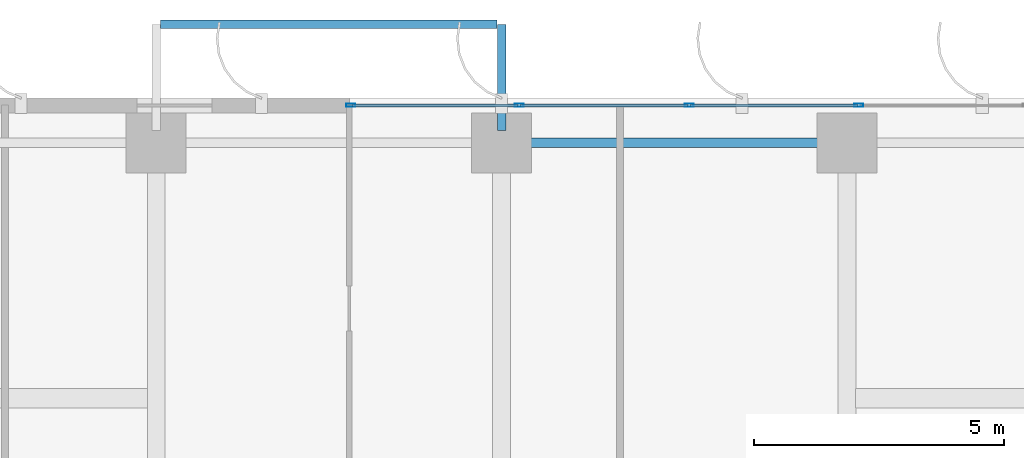
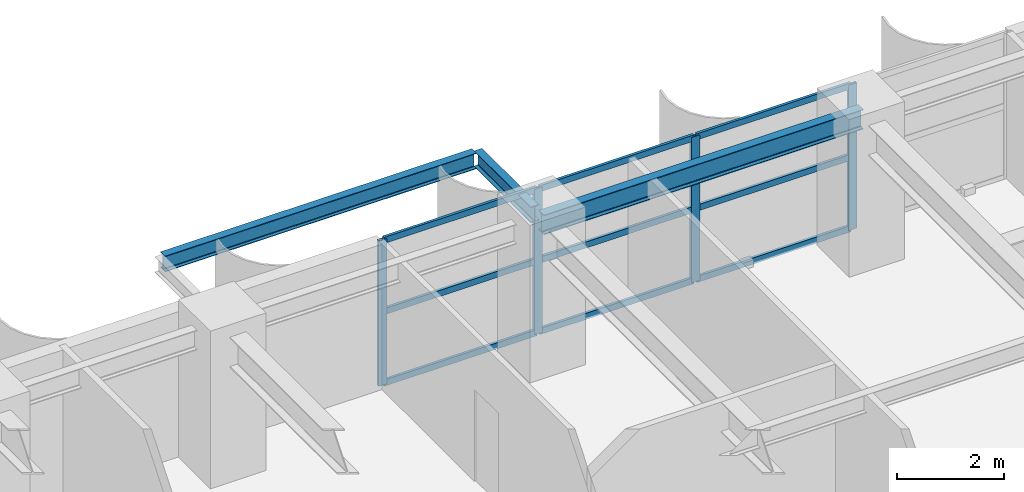
# One storey, part 10 of 22: 13 members, 3 beams, 1 element without a shape of its own.
"""IFC4 building model written with IfcOpenShell, lengths in metres."""

from ifc_helpers import new_model, si_unit, direction, frame, origin, origin_2d, place, context, subcontext, project, spatial, hollow_rectangle, i_section, extrude, source, transform, mapped, material, layer, layer_set, material_profile, profile_set, type_object, element, aggregate, save


model = new_model("IFC4")

# Units and contexts
model_context = context("Model", 3, precision=1e-05, world=origin(), true_north=direction((0.0, 1.0)))
body_context = subcontext(model_context, "Body", "Model", "MODEL_VIEW")
ifc_project = project(units=[si_unit("LENGTHUNIT", "METRE"), si_unit("AREAUNIT", "SQUARE_METRE"), si_unit("VOLUMEUNIT", "CUBIC_METRE"), si_unit("PLANEANGLEUNIT", "RADIAN"), si_unit("MASSUNIT", "GRAM", prefix="KILO")], contexts=[model_context])

# Site, building, storey
site_placement = place(None, origin())
site = spatial("IfcSite", under=ifc_project, at=site_placement, CompositionType="ELEMENT")
building_placement = place(site_placement, origin())
building = spatial("IfcBuilding", under=site, at=building_placement, Name="Khoralis Quay Care Tower", CompositionType="ELEMENT")
storey_placement = place(building_placement, frame((0.0, 0.0, 44.10009765625)))
storey = spatial("IfcBuildingStorey", under=building, at=storey_placement, Name="L11", CompositionType="ELEMENT", Elevation=44.10009765625)

# Beam
ifc_material_1 = material(Name="Steel S355", Category="steel")
ifc_material_profile_1 = material_profile(ifc_material_1, i_section(OverallWidth=0.18994140625, OverallDepth=0.449951171875, WebThickness=0.009521484375, FlangeThickness=0.0146484375, FilletRadius=0.02099609375, at=origin_2d()), Name="Steel S355")
ifc_profile_set_1 = profile_set([ifc_material_profile_1], Name="Steel S355")
beam_type_1 = type_object("IfcBeamType", Name="BM-IPE450", PredefinedType="SPANDREL", material=ifc_profile_set_1)
shared_shape_1 = source(origin(), body_context, "Body", "SweptSolid", [
    extrude(i_section(OverallWidth=0.18994140625, OverallDepth=0.449951171875, WebThickness=0.009521484375, FlangeThickness=0.0146484375, FilletRadius=0.02099609375, at=origin_2d()), origin(), (0.0, 0.0, 1.0), 6.89990234375),
])
beam_1_placement = place(storey_placement, frame((24.0, 47.10009765625, 3.094970703125), z_axis=(1.0, 0.0, 0.0), x_axis=(0.0, 1.0, 0.0)))
element("IfcBeam", 1, at=beam_1_placement, inside=storey, type_object=beam_type_1, Name="BM-TSP-L11-10", PredefinedType="SPANDREL", context=body_context, shape_type="MappedRepresentation", body=[
    mapped(shared_shape_1, transform((0.0, 0.0, 0.0), scale=1.0)),
])

# Curtain wall, members
ifc_material_2 = material(Name="Pale anodised aluminium", Category="aluminium")
ifc_layer = layer(ifc_material_2, 0.179931640625)
ifc_layer_set = layer_set([ifc_layer], Name="Pale anodised aluminium")
curtain_wall_type = type_object("IfcCurtainWallType", Name="CW-SYS-Z1", PredefinedType="NOTDEFINED", material=ifc_layer_set)
curtain_wall_placement = place(storey_placement, origin())
curtain_wall = element("IfcCurtainWall", 2, at=curtain_wall_placement, inside=storey, type_object=curtain_wall_type, Name="L11 Unitised Curtain Wall CW-L11-P1-E10", PredefinedType="NOTDEFINED")
ifc_material_profile_2 = material_profile(ifc_material_2, hollow_rectangle(XDim=0.06494140625, YDim=0.179931640625, WallThickness=0.00390625, at=origin_2d()), Name="Pale anodised aluminium")
ifc_profile_set_2 = profile_set([ifc_material_profile_2], Name="Pale anodised aluminium")
member_type_1 = type_object("IfcMemberType", Name="CW-MUL-180", PredefinedType="MULLION", material=ifc_profile_set_2)
shared_shape_2 = source(origin(), body_context, "Body", "SweptSolid", [
    extrude(hollow_rectangle(XDim=0.06494140625, YDim=0.179931640625, WallThickness=0.00390625, at=origin_2d()), origin(), (0.0, 0.0, 1.0), 3.31982421875),
])
member_1_placement = place(storey_placement, frame((31.13671875, 47.85009765625, 0.0), z_axis=(0.0, 0.0, 1.0), x_axis=(0.0, -1.0, 0.0)))
member_1 = element("IfcMember", 3, at=member_1_placement, type_object=member_type_1, Name="CW1 mullion 2", PredefinedType="MULLION", context=body_context, shape_type="MappedRepresentation", body=[
    mapped(shared_shape_2, transform((0.0, 0.0, 0.0), scale=1.0)),
])
member_2_placement = place(storey_placement, frame((27.743408203125, 47.85009765625, 0.0), z_axis=(0.0, 0.0, 1.0), x_axis=(0.0, -1.0, 0.0)))
member_2 = element("IfcMember", 4, at=member_2_placement, type_object=member_type_1, Name="CW1 mullion 3", PredefinedType="MULLION", context=body_context, shape_type="MappedRepresentation", body=[
    mapped(shared_shape_2, transform((0.0, 0.0, 0.0), scale=1.0)),
])
member_3_placement = place(storey_placement, frame((24.350341796875, 47.85009765625, 0.0), z_axis=(0.0, 0.0, 1.0), x_axis=(0.0, -1.0, 0.0)))
member_3 = element("IfcMember", 5, at=member_3_placement, type_object=member_type_1, Name="CW1 mullion 4", PredefinedType="MULLION", context=body_context, shape_type="MappedRepresentation", body=[
    mapped(shared_shape_2, transform((0.0, 0.0, 0.0), scale=1.0)),
])
member_4_placement = place(storey_placement, frame((20.987060546875, 47.85009765625, 0.0), z_axis=(0.0, 0.0, 1.0), x_axis=(0.0, -1.0, 0.0)))
member_4 = element("IfcMember", 6, at=member_4_placement, type_object=member_type_1, Name="CW1 mullion 5", PredefinedType="MULLION", context=body_context, shape_type="MappedRepresentation", body=[
    mapped(shared_shape_2, transform((0.0, 0.0, 0.0), scale=1.0)),
])

# Beams
ifc_material_profile_3 = material_profile(ifc_material_1, i_section(OverallWidth=0.169921875, OverallDepth=0.360107421875, WebThickness=0.008056640625, FlangeThickness=0.0126953125, FilletRadius=0.01806640625, at=origin_2d()), Name="Steel S355")
ifc_profile_set_3 = profile_set([ifc_material_profile_3], Name="Steel S355")
beam_type_2 = type_object("IfcBeamType", Name="BM-IPE360", PredefinedType="SPANDREL", material=ifc_profile_set_3)
shared_shape_3 = source(origin(), body_context, "Body", "SweptSolid", [
    extrude(i_section(OverallWidth=0.169921875, OverallDepth=0.360107421875, WebThickness=0.008056640625, FlangeThickness=0.0126953125, FilletRadius=0.01806640625, at=origin_2d()), origin(), (0.0, 0.0, 1.0), 2.119873046875),
])
beam_2_placement = place(storey_placement, frame((24.0, 47.35009765625, 3.143798828125), z_axis=(0.0, 1.0, 0.0), x_axis=(-1.0, 0.0, 0.0)))
element("IfcBeam", 7, at=beam_2_placement, inside=storey, type_object=beam_type_2, Name="L12 Balcony Cantilever Outrigger Beam 2", PredefinedType="SPANDREL", context=body_context, shape_type="MappedRepresentation", body=[
    mapped(shared_shape_3, transform((0.0, 0.0, 0.0), scale=1.0)),
])
shared_shape_4 = source(origin(), body_context, "Body", "SweptSolid", [
    extrude(i_section(OverallWidth=0.169921875, OverallDepth=0.360107421875, WebThickness=0.008056640625, FlangeThickness=0.0126953125, FilletRadius=0.01806640625, at=origin_2d()), origin(), (0.0, 0.0, 1.0), 6.72412109375),
])
beam_3_placement = place(storey_placement, frame((17.18798828125, 49.469970703125, 3.143798828125), z_axis=(1.0, 0.0, 0.0), x_axis=(0.0, 1.0, 0.0)))
element("IfcBeam", 8, at=beam_3_placement, inside=storey, type_object=beam_type_2, Name="L12 Balcony Edge Spandrel Beam P1E10", PredefinedType="SPANDREL", context=body_context, shape_type="MappedRepresentation", body=[
    mapped(shared_shape_4, transform((0.0, 0.0, 0.0), scale=1.0)),
])

# Member
ifc_material_profile_4 = material_profile(ifc_material_2, hollow_rectangle(XDim=0.06005859375, YDim=0.139892578125, WallThickness=0.00390625, at=origin_2d()), Name="Pale anodised aluminium")
ifc_profile_set_4 = profile_set([ifc_material_profile_4], Name="Pale anodised aluminium")
member_type_2 = type_object("IfcMemberType", Name="CW-TRN-140", PredefinedType="USERDEFINED", material=ifc_profile_set_4)
shared_shape_5 = source(origin(), body_context, "Body", "SweptSolid", [
    extrude(hollow_rectangle(XDim=0.06005859375, YDim=0.139892578125, WallThickness=0.00390625, at=origin_2d()), origin(), (0.0, 0.0, 1.0), 3.30322265625),
])
member_5_placement = place(storey_placement, frame((24.3203125, 47.85009765625, 0.02978515625), z_axis=(-1.0, 0.0, 0.0), x_axis=(0.0, -1.0, 0.0)))
member_5 = element("IfcMember", 9, at=member_5_placement, type_object=member_type_2, Name="CW1 transom 4.1", ObjectType="TRANSOM", PredefinedType="USERDEFINED", context=body_context, shape_type="MappedRepresentation", body=[
    mapped(shared_shape_5, transform((0.0, 0.0, 0.0), scale=1.0)),
])

member_6_placement = place(storey_placement, frame((24.3203125, 47.85009765625, 1.659912109375), z_axis=(-1.0, 0.0, 0.0), x_axis=(0.0, -1.0, 0.0)))
member_6 = element("IfcMember", 10, at=member_6_placement, type_object=member_type_2, Name="CW1 transom 4.2", ObjectType="TRANSOM", PredefinedType="USERDEFINED", context=body_context, shape_type="MappedRepresentation", body=[
    mapped(shared_shape_5, transform((0.0, 0.0, 0.0), scale=1.0)),
])

member_7_placement = place(storey_placement, frame((24.3203125, 47.85009765625, 3.289794921875), z_axis=(-1.0, 0.0, 0.0), x_axis=(0.0, -1.0, 0.0)))
member_7 = element("IfcMember", 11, at=member_7_placement, type_object=member_type_2, Name="CW1 transom 4.3", ObjectType="TRANSOM", PredefinedType="USERDEFINED", context=body_context, shape_type="MappedRepresentation", body=[
    mapped(shared_shape_5, transform((0.0, 0.0, 0.0), scale=1.0)),
])

shared_shape_6 = source(origin(), body_context, "Body", "SweptSolid", [
    extrude(hollow_rectangle(XDim=0.06005859375, YDim=0.139892578125, WallThickness=0.00390625, at=origin_2d()), origin(), (0.0, 0.0, 1.0), 3.333251953125),
])
member_8_placement = place(storey_placement, frame((31.106689453125, 47.85009765625, 0.02978515625), z_axis=(-1.0, 0.0, 0.0), x_axis=(0.0, -1.0, 0.0)))
member_8 = element("IfcMember", 12, at=member_8_placement, type_object=member_type_2, Name="CW1 transom 2.1", ObjectType="TRANSOM", PredefinedType="USERDEFINED", context=body_context, shape_type="MappedRepresentation", body=[
    mapped(shared_shape_6, transform((0.0, 0.0, 0.0), scale=1.0)),
])

member_9_placement = place(storey_placement, frame((31.106689453125, 47.85009765625, 1.659912109375), z_axis=(-1.0, 0.0, 0.0), x_axis=(0.0, -1.0, 0.0)))
member_9 = element("IfcMember", 13, at=member_9_placement, type_object=member_type_2, Name="CW1 transom 2.2", ObjectType="TRANSOM", PredefinedType="USERDEFINED", context=body_context, shape_type="MappedRepresentation", body=[
    mapped(shared_shape_6, transform((0.0, 0.0, 0.0), scale=1.0)),
])

member_10_placement = place(storey_placement, frame((31.106689453125, 47.85009765625, 3.289794921875), z_axis=(-1.0, 0.0, 0.0), x_axis=(0.0, -1.0, 0.0)))
member_10 = element("IfcMember", 14, at=member_10_placement, type_object=member_type_2, Name="CW1 transom 2.3", ObjectType="TRANSOM", PredefinedType="USERDEFINED", context=body_context, shape_type="MappedRepresentation", body=[
    mapped(shared_shape_6, transform((0.0, 0.0, 0.0), scale=1.0)),
])

shared_shape_7 = source(origin(), body_context, "Body", "SweptSolid", [
    extrude(hollow_rectangle(XDim=0.06005859375, YDim=0.139892578125, WallThickness=0.00390625, at=origin_2d()), origin(), (0.0, 0.0, 1.0), 3.3330078125),
])
member_11_placement = place(storey_placement, frame((27.71337890625, 47.85009765625, 0.02978515625), z_axis=(-1.0, 0.0, 0.0), x_axis=(0.0, -1.0, 0.0)))
member_11 = element("IfcMember", 15, at=member_11_placement, type_object=member_type_2, Name="CW1 transom 3.1", ObjectType="TRANSOM", PredefinedType="USERDEFINED", context=body_context, shape_type="MappedRepresentation", body=[
    mapped(shared_shape_7, transform((0.0, 0.0, 0.0), scale=1.0)),
])

member_12_placement = place(storey_placement, frame((27.71337890625, 47.85009765625, 1.659912109375), z_axis=(-1.0, 0.0, 0.0), x_axis=(0.0, -1.0, 0.0)))
member_12 = element("IfcMember", 16, at=member_12_placement, type_object=member_type_2, Name="CW1 transom 3.2", ObjectType="TRANSOM", PredefinedType="USERDEFINED", context=body_context, shape_type="MappedRepresentation", body=[
    mapped(shared_shape_7, transform((0.0, 0.0, 0.0), scale=1.0)),
])

member_13_placement = place(storey_placement, frame((27.71337890625, 47.85009765625, 3.289794921875), z_axis=(-1.0, 0.0, 0.0), x_axis=(0.0, -1.0, 0.0)))
member_13 = element("IfcMember", 17, at=member_13_placement, type_object=member_type_2, Name="CW1 transom 3.3", ObjectType="TRANSOM", PredefinedType="USERDEFINED", context=body_context, shape_type="MappedRepresentation", body=[
    mapped(shared_shape_7, transform((0.0, 0.0, 0.0), scale=1.0)),
])

aggregate(curtain_wall, [member_1, member_2, member_3, member_4, member_8, member_9, member_10, member_11, member_12, member_13, member_5, member_6, member_7])

save(model, "model.ifc")
